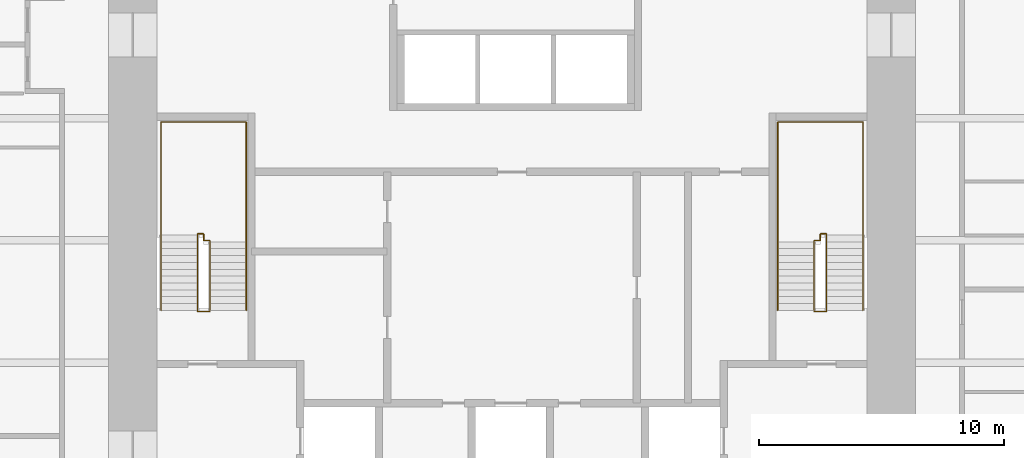
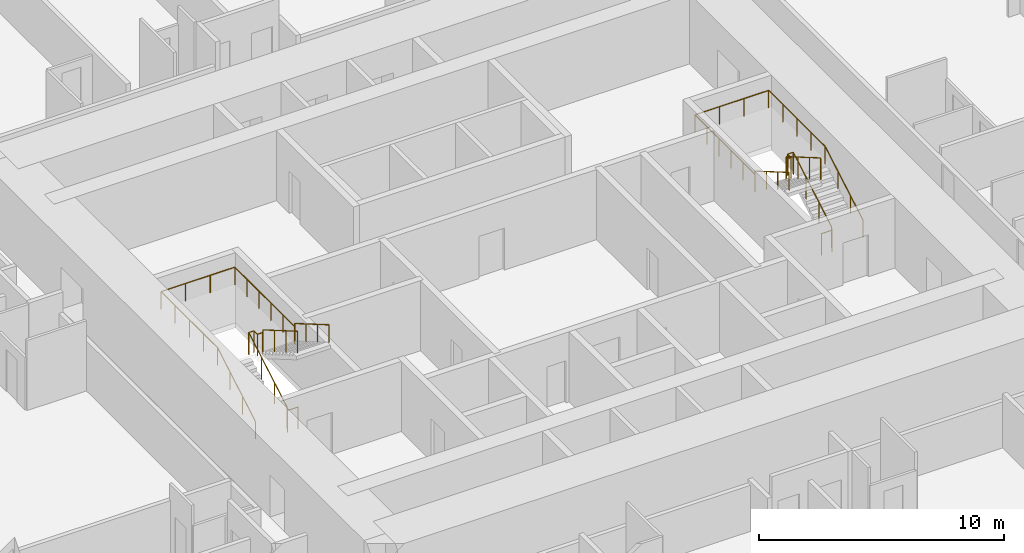
# One storey, part 20 of 20: 4 railings.
"""IFC4 building model written with IfcOpenShell, lengths in metres."""

from ifc_helpers import new_model, si_unit, direction, frame, origin, origin_2d, place, context, subcontext, project, spatial, circle, extrude, material, type_object, element, save


model = new_model("IFC4")

# Units and contexts
model_context = context("Model", 3, precision=1e-05, world=origin(), true_north=direction((0.0, 1.0)))
body_context = subcontext(model_context, "Body", "Model", "MODEL_VIEW")
ifc_project = project(units=[si_unit("LENGTHUNIT", "METRE"), si_unit("AREAUNIT", "SQUARE_METRE"), si_unit("VOLUMEUNIT", "CUBIC_METRE"), si_unit("PLANEANGLEUNIT", "RADIAN"), si_unit("MASSUNIT", "GRAM", prefix="KILO")], contexts=[model_context])

# Site, building, storey
site_placement = place(None, origin())
site = spatial("IfcSite", under=ifc_project, at=site_placement, CompositionType="ELEMENT")
building_placement = place(site_placement, origin())
building = spatial("IfcBuilding", under=site, at=building_placement, Name="Khuree Lantern Residences", CompositionType="ELEMENT")
storey_placement = place(building_placement, frame((0.0, 0.0, 28.5)))
storey = spatial("IfcBuildingStorey", under=building, at=storey_placement, Name="L06", CompositionType="ELEMENT", Elevation=28.5)

# Railings
ifc_material = material(Name="Steel S355", Category="steel")
railing_type_1 = type_object("IfcRailingType", Name="STAIR GUARD G1 1100", PredefinedType="GUARDRAIL", material=ifc_material)
railing_1_placement = place(storey_placement, frame((-12.35009765625, -2.909912109375, 0.0)))
element("IfcRailing", 1, at=railing_1_placement, inside=storey, type_object=railing_type_1, Name="Stair ST1 guard", PredefinedType="GUARDRAIL", context=body_context, shape_type="SweptSolid", body=[
    extrude(circle(Radius=0.02392578125, at=origin_2d()), frame((0.0, 0.0, 1.076171875), z_axis=(-1.0, 0.0, 0.0), x_axis=(0.0, -1.0, 0.0)), (0.0, 0.0, 1.0), 0.5),
    extrude(circle(Radius=0.02392578125, at=origin_2d()), frame((-0.5, 0.0, 1.076171875), z_axis=(0.0, 0.292073035251, 0.95639601739), x_axis=(-1.0, 0.0, 0.0)), (0.0, 0.0, 1.0), 0.17041015625),
    extrude(circle(Radius=0.02392578125, at=origin_2d()), frame((-0.5, 0.0498046875, 1.2392578125), z_axis=(0.0, 0.864176135923, 0.503189433615), x_axis=(-1.0, 0.0, 0.0)), (0.0, 0.0, 1.0), 3.564208984375),
    extrude(circle(Radius=0.02392578125, at=origin_2d()), frame((-0.5, 3.1298828125, 3.03271484375), z_axis=(0.0, 1.0, 0.0), x_axis=(-1.0, 0.0, 0.0)), (0.0, 0.0, 1.0), 0.050048828125),
    extrude(circle(Radius=0.02392578125, at=origin_2d()), frame((-0.5, 3.179931640625, 3.03271484375), z_axis=(1.0, 0.0, 0.0), x_axis=(0.0, 1.0, 0.0)), (0.0, 0.0, 1.0), 0.25),
    extrude(circle(Radius=0.02392578125, at=origin_2d()), frame((-0.25, 3.179931640625, 3.03271484375), z_axis=(0.0, -1.0, 0.0), x_axis=(1.0, 0.0, 0.0)), (0.0, 0.0, 1.0), 0.280029296875),
    extrude(circle(Radius=0.02392578125, at=origin_2d()), frame((-0.25, 2.89990234375, 3.03271484375), z_axis=(1.0, 0.0, 0.0), x_axis=(0.0, 1.0, 0.0)), (0.0, 0.0, 1.0), 0.25),
    extrude(circle(Radius=0.02392578125, at=origin_2d()), frame((0.0, 2.89990234375, 3.03271484375), z_axis=(0.0, -0.293381807449, 0.955995353053), x_axis=(1.0, 0.0, 0.0)), (0.0, 0.0, 1.0), 0.170654296875),
    extrude(circle(Radius=0.02392578125, at=origin_2d()), frame((0.0, 2.849853515625, 3.19580078125), z_axis=(0.0, -0.864180358799, 0.503182181189), x_axis=(1.0, 0.0, 0.0)), (0.0, 0.0, 1.0), 3.240234375),
    extrude(circle(Radius=0.02099609375, at=origin_2d()), origin(), (0.0, 0.0, 1.0), 1.052001953125),
    extrude(circle(Radius=0.02099609375, at=origin_2d()), frame((-0.5, 0.0, 0.0)), (0.0, 0.0, 1.0), 1.052001953125),
    extrude(circle(Radius=0.02099609375, at=origin_2d()), frame((-0.5, 0.0498046875, 0.1630859375)), (0.0, 0.0, 1.0), 1.052001953125),
    extrude(circle(Radius=0.02099609375, at=origin_2d()), frame((-0.5, 1.076416015625, 0.760986328125)), (0.0, 0.0, 1.0), 1.052001953125),
    extrude(circle(Radius=0.02099609375, at=origin_2d()), frame((-0.5, 2.103271484375, 1.358642578125)), (0.0, 0.0, 1.0), 1.052001953125),
    extrude(circle(Radius=0.02099609375, at=origin_2d()), frame((-0.5, 3.1298828125, 1.95654296875)), (0.0, 0.0, 1.0), 1.052001953125),
    extrude(circle(Radius=0.02099609375, at=origin_2d()), frame((-0.5, 3.179931640625, 1.95654296875)), (0.0, 0.0, 1.0), 1.052001953125),
    extrude(circle(Radius=0.02099609375, at=origin_2d()), frame((-0.25, 3.179931640625, 1.95654296875)), (0.0, 0.0, 1.0), 1.052001953125),
    extrude(circle(Radius=0.02099609375, at=origin_2d()), frame((-0.25, 2.89990234375, 1.95654296875)), (0.0, 0.0, 1.0), 1.052001953125),
    extrude(circle(Radius=0.02099609375, at=origin_2d()), frame((0.0, 2.89990234375, 1.95654296875)), (0.0, 0.0, 1.0), 1.052001953125),
    extrude(circle(Radius=0.02099609375, at=origin_2d()), frame((0.0, 2.849853515625, 2.11962890625)), (0.0, 0.0, 1.0), 1.052001953125),
    extrude(circle(Radius=0.02099609375, at=origin_2d()), frame((0.0, 1.91650390625, 2.6630859375)), (0.0, 0.0, 1.0), 1.052001953125),
    extrude(circle(Radius=0.02099609375, at=origin_2d()), frame((0.0, 0.983154296875, 3.20654296875)), (0.0, 0.0, 1.0), 1.052001953125),
    extrude(circle(Radius=0.02099609375, at=origin_2d()), frame((0.0, 0.0498046875, 3.75)), (0.0, 0.0, 1.0), 1.052001953125),
])
railing_2_placement = place(storey_placement, frame((12.35009765625, -2.909912109375, 0.0)))
element("IfcRailing", 2, at=railing_2_placement, inside=storey, type_object=railing_type_1, Name="Stair ST2 guard", PredefinedType="GUARDRAIL", context=body_context, shape_type="SweptSolid", body=[
    extrude(circle(Radius=0.02392578125, at=origin_2d()), frame((0.0, 0.0, 1.076171875), z_axis=(1.0, 0.0, 0.0), x_axis=(0.0, 1.0, 0.0)), (0.0, 0.0, 1.0), 0.5),
    extrude(circle(Radius=0.02392578125, at=origin_2d()), frame((0.5, 0.0, 1.076171875), z_axis=(0.0, 0.292073035251, 0.95639601739), x_axis=(-1.0, 0.0, 0.0)), (0.0, 0.0, 1.0), 0.17041015625),
    extrude(circle(Radius=0.02392578125, at=origin_2d()), frame((0.5, 0.0498046875, 1.2392578125), z_axis=(0.0, 0.864176135923, 0.503189433615), x_axis=(-1.0, 0.0, 0.0)), (0.0, 0.0, 1.0), 3.564208984375),
    extrude(circle(Radius=0.02392578125, at=origin_2d()), frame((0.5, 3.1298828125, 3.03271484375), z_axis=(0.0, 1.0, 0.0), x_axis=(-1.0, 0.0, 0.0)), (0.0, 0.0, 1.0), 0.050048828125),
    extrude(circle(Radius=0.02392578125, at=origin_2d()), frame((0.5, 3.179931640625, 3.03271484375), z_axis=(-1.0, 0.0, 0.0), x_axis=(0.0, -1.0, 0.0)), (0.0, 0.0, 1.0), 0.25),
    extrude(circle(Radius=0.02392578125, at=origin_2d()), frame((0.25, 3.179931640625, 3.03271484375), z_axis=(0.0, -1.0, 0.0), x_axis=(1.0, 0.0, 0.0)), (0.0, 0.0, 1.0), 0.280029296875),
    extrude(circle(Radius=0.02392578125, at=origin_2d()), frame((0.25, 2.89990234375, 3.03271484375), z_axis=(-1.0, 0.0, 0.0), x_axis=(0.0, -1.0, 0.0)), (0.0, 0.0, 1.0), 0.25),
    extrude(circle(Radius=0.02392578125, at=origin_2d()), frame((0.0, 2.89990234375, 3.03271484375), z_axis=(0.0, -0.293381807449, 0.955995353053), x_axis=(1.0, 0.0, 0.0)), (0.0, 0.0, 1.0), 0.170654296875),
    extrude(circle(Radius=0.02392578125, at=origin_2d()), frame((0.0, 2.849853515625, 3.19580078125), z_axis=(0.0, -0.864180358799, 0.503182181189), x_axis=(1.0, 0.0, 0.0)), (0.0, 0.0, 1.0), 3.240234375),
    extrude(circle(Radius=0.02099609375, at=origin_2d()), origin(), (0.0, 0.0, 1.0), 1.052001953125),
    extrude(circle(Radius=0.02099609375, at=origin_2d()), frame((0.5, 0.0, 0.0)), (0.0, 0.0, 1.0), 1.052001953125),
    extrude(circle(Radius=0.02099609375, at=origin_2d()), frame((0.5, 0.0498046875, 0.1630859375)), (0.0, 0.0, 1.0), 1.052001953125),
    extrude(circle(Radius=0.02099609375, at=origin_2d()), frame((0.5, 1.076416015625, 0.760986328125)), (0.0, 0.0, 1.0), 1.052001953125),
    extrude(circle(Radius=0.02099609375, at=origin_2d()), frame((0.5, 2.103271484375, 1.358642578125)), (0.0, 0.0, 1.0), 1.052001953125),
    extrude(circle(Radius=0.02099609375, at=origin_2d()), frame((0.5, 3.1298828125, 1.95654296875)), (0.0, 0.0, 1.0), 1.052001953125),
    extrude(circle(Radius=0.02099609375, at=origin_2d()), frame((0.5, 3.179931640625, 1.95654296875)), (0.0, 0.0, 1.0), 1.052001953125),
    extrude(circle(Radius=0.02099609375, at=origin_2d()), frame((0.25, 3.179931640625, 1.95654296875)), (0.0, 0.0, 1.0), 1.052001953125),
    extrude(circle(Radius=0.02099609375, at=origin_2d()), frame((0.25, 2.89990234375, 1.95654296875)), (0.0, 0.0, 1.0), 1.052001953125),
    extrude(circle(Radius=0.02099609375, at=origin_2d()), frame((0.0, 2.89990234375, 1.95654296875)), (0.0, 0.0, 1.0), 1.052001953125),
    extrude(circle(Radius=0.02099609375, at=origin_2d()), frame((0.0, 2.849853515625, 2.11962890625)), (0.0, 0.0, 1.0), 1.052001953125),
    extrude(circle(Radius=0.02099609375, at=origin_2d()), frame((0.0, 1.91650390625, 2.6630859375)), (0.0, 0.0, 1.0), 1.052001953125),
    extrude(circle(Radius=0.02099609375, at=origin_2d()), frame((0.0, 0.983154296875, 3.20654296875)), (0.0, 0.0, 1.0), 1.052001953125),
    extrude(circle(Radius=0.02099609375, at=origin_2d()), frame((0.0, 0.0498046875, 3.75)), (0.0, 0.0, 1.0), 1.052001953125),
])
railing_type_2 = type_object("IfcRailingType", Name="STAIR HANDRAIL H1 900", PredefinedType="HANDRAIL", material=ifc_material)
railing_3_placement = place(storey_placement, frame((-14.340087890625, -2.860107421875, 0.1630859375)))
element("IfcRailing", 3, at=railing_3_placement, inside=storey, type_object=railing_type_2, Name="Stair ST1 handrail", PredefinedType="HANDRAIL", context=body_context, shape_type="SweptSolid", body=[
    extrude(circle(Radius=0.02392578125, at=origin_2d()), frame((0.0, 0.0, 0.8759765625), z_axis=(0.0, 0.864176135923, 0.503189433615), x_axis=(-1.0, 0.0, 0.0)), (0.0, 0.0, 1.0), 3.564208984375),
    extrude(circle(Radius=0.02392578125, at=origin_2d()), frame((0.0, 3.080078125, 2.66943359375), z_axis=(0.0, 1.0, 0.0), x_axis=(-1.0, 0.0, 0.0)), (0.0, 0.0, 1.0), 4.6201171875),
    extrude(circle(Radius=0.02392578125, at=origin_2d()), frame((0.0, 7.7001953125, 2.66943359375), z_axis=(1.0, 0.0, 0.0), x_axis=(0.0, 1.0, 0.0)), (0.0, 0.0, 1.0), 3.47998046875),
    extrude(circle(Radius=0.02392578125, at=origin_2d()), frame((3.47998046875, 7.7001953125, 2.66943359375), z_axis=(0.0, -1.0, 0.0), x_axis=(1.0, 0.0, 0.0)), (0.0, 0.0, 1.0), 4.900146484375),
    extrude(circle(Radius=0.02392578125, at=origin_2d()), frame((3.47998046875, 2.800048828125, 2.66943359375), z_axis=(0.0, 0.0, 1.0), x_axis=(1.0, 0.0, 0.0)), (0.0, 0.0, 1.0), 0.1630859375),
    extrude(circle(Radius=0.02392578125, at=origin_2d()), frame((3.47998046875, 2.800048828125, 2.83251953125), z_axis=(0.0, -0.864180358799, 0.503182181189), x_axis=(1.0, 0.0, 0.0)), (0.0, 0.0, 1.0), 3.240234375),
    extrude(circle(Radius=0.02099609375, at=origin_2d()), origin(), (0.0, 0.0, 1.0), 0.851806640625),
    extrude(circle(Radius=0.02099609375, at=origin_2d()), frame((0.0, 1.026611328125, 0.597900390625)), (0.0, 0.0, 1.0), 0.851806640625),
    extrude(circle(Radius=0.02099609375, at=origin_2d()), frame((0.0, 2.053466796875, 1.195556640625)), (0.0, 0.0, 1.0), 0.851806640625),
    extrude(circle(Radius=0.02099609375, at=origin_2d()), frame((0.0, 3.080078125, 1.79345703125)), (0.0, 0.0, 1.0), 0.851806640625),
    extrude(circle(Radius=0.02099609375, at=origin_2d()), frame((0.0, 4.235107421875, 1.79345703125)), (0.0, 0.0, 1.0), 0.851806640625),
    extrude(circle(Radius=0.02099609375, at=origin_2d()), frame((0.0, 5.39013671875, 1.79345703125)), (0.0, 0.0, 1.0), 0.851806640625),
    extrude(circle(Radius=0.02099609375, at=origin_2d()), frame((0.0, 6.545166015625, 1.79345703125)), (0.0, 0.0, 1.0), 0.851806640625),
    extrude(circle(Radius=0.02099609375, at=origin_2d()), frame((0.0, 7.7001953125, 1.79345703125)), (0.0, 0.0, 1.0), 0.851806640625),
    extrude(circle(Radius=0.02099609375, at=origin_2d()), frame((1.159912109375, 7.7001953125, 1.79345703125)), (0.0, 0.0, 1.0), 0.851806640625),
    extrude(circle(Radius=0.02099609375, at=origin_2d()), frame((2.320068359375, 7.7001953125, 1.79345703125)), (0.0, 0.0, 1.0), 0.851806640625),
    extrude(circle(Radius=0.02099609375, at=origin_2d()), frame((3.47998046875, 7.7001953125, 1.79345703125)), (0.0, 0.0, 1.0), 0.851806640625),
    extrude(circle(Radius=0.02099609375, at=origin_2d()), frame((3.47998046875, 6.72021484375, 1.79345703125)), (0.0, 0.0, 1.0), 0.851806640625),
    extrude(circle(Radius=0.02099609375, at=origin_2d()), frame((3.47998046875, 5.740234375, 1.79345703125)), (0.0, 0.0, 1.0), 0.851806640625),
    extrude(circle(Radius=0.02099609375, at=origin_2d()), frame((3.47998046875, 4.760009765625, 1.79345703125)), (0.0, 0.0, 1.0), 0.851806640625),
    extrude(circle(Radius=0.02099609375, at=origin_2d()), frame((3.47998046875, 3.780029296875, 1.79345703125)), (0.0, 0.0, 1.0), 0.851806640625),
    extrude(circle(Radius=0.02099609375, at=origin_2d()), frame((3.47998046875, 2.800048828125, 1.79345703125)), (0.0, 0.0, 1.0), 0.851806640625),
    extrude(circle(Radius=0.02099609375, at=origin_2d()), frame((3.47998046875, 2.800048828125, 1.95654296875)), (0.0, 0.0, 1.0), 0.851806640625),
    extrude(circle(Radius=0.02099609375, at=origin_2d()), frame((3.47998046875, 1.86669921875, 2.5)), (0.0, 0.0, 1.0), 0.851806640625),
    extrude(circle(Radius=0.02099609375, at=origin_2d()), frame((3.47998046875, 0.933349609375, 3.04345703125)), (0.0, 0.0, 1.0), 0.851806640625),
    extrude(circle(Radius=0.02099609375, at=origin_2d()), frame((3.47998046875, 0.0, 3.5869140625)), (0.0, 0.0, 1.0), 0.851806640625),
])
railing_4_placement = place(storey_placement, frame((14.340087890625, -2.860107421875, 0.1630859375)))
element("IfcRailing", 4, at=railing_4_placement, inside=storey, type_object=railing_type_2, Name="Stair ST2 handrail", PredefinedType="HANDRAIL", context=body_context, shape_type="SweptSolid", body=[
    extrude(circle(Radius=0.02392578125, at=origin_2d()), frame((0.0, 0.0, 0.8759765625), z_axis=(0.0, 0.864176135923, 0.503189433615), x_axis=(-1.0, 0.0, 0.0)), (0.0, 0.0, 1.0), 3.564208984375),
    extrude(circle(Radius=0.02392578125, at=origin_2d()), frame((0.0, 3.080078125, 2.66943359375), z_axis=(0.0, 1.0, 0.0), x_axis=(-1.0, 0.0, 0.0)), (0.0, 0.0, 1.0), 4.6201171875),
    extrude(circle(Radius=0.02392578125, at=origin_2d()), frame((0.0, 7.7001953125, 2.66943359375), z_axis=(-1.0, 0.0, 0.0), x_axis=(0.0, -1.0, 0.0)), (0.0, 0.0, 1.0), 3.47998046875),
    extrude(circle(Radius=0.02392578125, at=origin_2d()), frame((-3.47998046875, 7.7001953125, 2.66943359375), z_axis=(0.0, -1.0, 0.0), x_axis=(1.0, 0.0, 0.0)), (0.0, 0.0, 1.0), 4.900146484375),
    extrude(circle(Radius=0.02392578125, at=origin_2d()), frame((-3.47998046875, 2.800048828125, 2.66943359375), z_axis=(0.0, 0.0, 1.0), x_axis=(1.0, 0.0, 0.0)), (0.0, 0.0, 1.0), 0.1630859375),
    extrude(circle(Radius=0.02392578125, at=origin_2d()), frame((-3.47998046875, 2.800048828125, 2.83251953125), z_axis=(0.0, -0.864180358799, 0.503182181189), x_axis=(1.0, 0.0, 0.0)), (0.0, 0.0, 1.0), 3.240234375),
    extrude(circle(Radius=0.02099609375, at=origin_2d()), origin(), (0.0, 0.0, 1.0), 0.851806640625),
    extrude(circle(Radius=0.02099609375, at=origin_2d()), frame((0.0, 1.026611328125, 0.597900390625)), (0.0, 0.0, 1.0), 0.851806640625),
    extrude(circle(Radius=0.02099609375, at=origin_2d()), frame((0.0, 2.053466796875, 1.195556640625)), (0.0, 0.0, 1.0), 0.851806640625),
    extrude(circle(Radius=0.02099609375, at=origin_2d()), frame((0.0, 3.080078125, 1.79345703125)), (0.0, 0.0, 1.0), 0.851806640625),
    extrude(circle(Radius=0.02099609375, at=origin_2d()), frame((0.0, 4.235107421875, 1.79345703125)), (0.0, 0.0, 1.0), 0.851806640625),
    extrude(circle(Radius=0.02099609375, at=origin_2d()), frame((0.0, 5.39013671875, 1.79345703125)), (0.0, 0.0, 1.0), 0.851806640625),
    extrude(circle(Radius=0.02099609375, at=origin_2d()), frame((0.0, 6.545166015625, 1.79345703125)), (0.0, 0.0, 1.0), 0.851806640625),
    extrude(circle(Radius=0.02099609375, at=origin_2d()), frame((0.0, 7.7001953125, 1.79345703125)), (0.0, 0.0, 1.0), 0.851806640625),
    extrude(circle(Radius=0.02099609375, at=origin_2d()), frame((-1.159912109375, 7.7001953125, 1.79345703125)), (0.0, 0.0, 1.0), 0.851806640625),
    extrude(circle(Radius=0.02099609375, at=origin_2d()), frame((-2.320068359375, 7.7001953125, 1.79345703125)), (0.0, 0.0, 1.0), 0.851806640625),
    extrude(circle(Radius=0.02099609375, at=origin_2d()), frame((-3.47998046875, 7.7001953125, 1.79345703125)), (0.0, 0.0, 1.0), 0.851806640625),
    extrude(circle(Radius=0.02099609375, at=origin_2d()), frame((-3.47998046875, 6.72021484375, 1.79345703125)), (0.0, 0.0, 1.0), 0.851806640625),
    extrude(circle(Radius=0.02099609375, at=origin_2d()), frame((-3.47998046875, 5.740234375, 1.79345703125)), (0.0, 0.0, 1.0), 0.851806640625),
    extrude(circle(Radius=0.02099609375, at=origin_2d()), frame((-3.47998046875, 4.760009765625, 1.79345703125)), (0.0, 0.0, 1.0), 0.851806640625),
    extrude(circle(Radius=0.02099609375, at=origin_2d()), frame((-3.47998046875, 3.780029296875, 1.79345703125)), (0.0, 0.0, 1.0), 0.851806640625),
    extrude(circle(Radius=0.02099609375, at=origin_2d()), frame((-3.47998046875, 2.800048828125, 1.79345703125)), (0.0, 0.0, 1.0), 0.851806640625),
    extrude(circle(Radius=0.02099609375, at=origin_2d()), frame((-3.47998046875, 2.800048828125, 1.95654296875)), (0.0, 0.0, 1.0), 0.851806640625),
    extrude(circle(Radius=0.02099609375, at=origin_2d()), frame((-3.47998046875, 1.86669921875, 2.5)), (0.0, 0.0, 1.0), 0.851806640625),
    extrude(circle(Radius=0.02099609375, at=origin_2d()), frame((-3.47998046875, 0.933349609375, 3.04345703125)), (0.0, 0.0, 1.0), 0.851806640625),
    extrude(circle(Radius=0.02099609375, at=origin_2d()), frame((-3.47998046875, 0.0, 3.5869140625)), (0.0, 0.0, 1.0), 0.851806640625),
])

save(model, "model.ifc")
